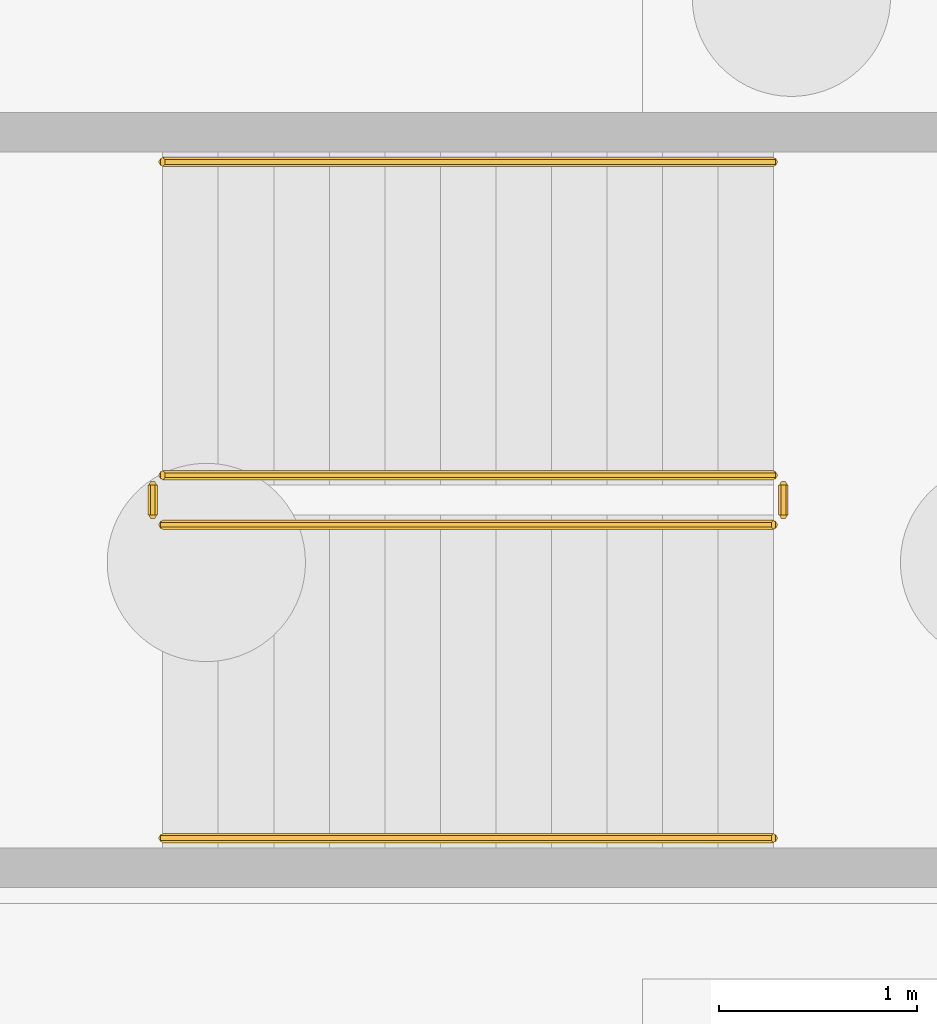
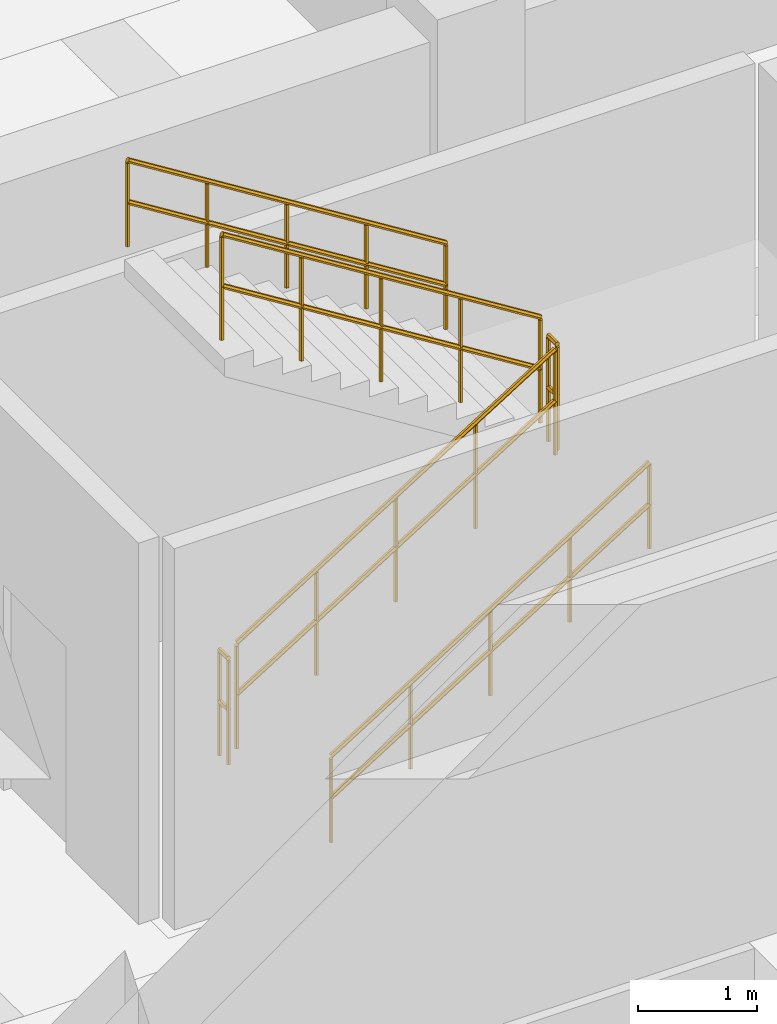
# One storey, part 19 of 23: 6 railings.
"""IFC4 building model written with IfcOpenShell, lengths in metres."""

from ifc_helpers import new_model, si_unit, direction, frame, origin, place, context, subcontext, project, spatial, polyline, outline, extrude, material, type_object, element, save


model = new_model("IFC4")

# Units and contexts
model_context = context("Model", 3, precision=1e-05, world=origin(), true_north=direction((0.0, 1.0)))
body_context = subcontext(model_context, "Body", "Model", "MODEL_VIEW")
ifc_project = project(units=[si_unit("LENGTHUNIT", "METRE"), si_unit("AREAUNIT", "SQUARE_METRE"), si_unit("VOLUMEUNIT", "CUBIC_METRE"), si_unit("PLANEANGLEUNIT", "RADIAN"), si_unit("MASSUNIT", "GRAM", prefix="KILO")], contexts=[model_context])

# Site, building, storey
site_placement = place(None, origin())
site = spatial("IfcSite", under=ifc_project, at=site_placement, CompositionType="ELEMENT")
building_placement = place(site_placement, origin())
building = spatial("IfcBuilding", under=site, at=building_placement, Name="Kelanora Arch Commons", CompositionType="ELEMENT")
storey_placement = place(building_placement, frame((0.0, 0.0, -8.39990234375)))
storey = spatial("IfcBuildingStorey", under=building, at=storey_placement, Name="B02", CompositionType="ELEMENT", Elevation=-8.39990234375)

# Railings
ifc_material_1 = material(Name="Painted steel stair well guard", Category="steel")
railing_type_1 = type_object("IfcRailingType", Name="RAIL-STAIR-GRD", PredefinedType="GUARDRAIL", material=ifc_material_1)
railing_1_placement = place(storey_placement, frame((83.679931640625, 8.18994140625, 0.1748046875)))
element("IfcRailing", 1, at=railing_1_placement, inside=storey, type_object=railing_type_1, Name="B02 ST-M2 stair guard 1", PredefinedType="GUARDRAIL", context=body_context, shape_type="SweptSolid", body=[
    extrude(outline(polyline([(0.02392578125, 0.0), (0.011962890625, 0.020751953125), (-0.011962890625, 0.020751953125), (-0.02392578125, 0.0), (-0.011962890625, -0.020751953125), (0.011962890625, -0.020751953125), (0.02392578125, 0.0)])), frame((0.0, 0.0, 1.076171875), z_axis=(0.847998304005, 0.0, 0.529998940003), x_axis=(0.0, 1.0, 0.0)), (0.0, 0.0, 1.0), 3.632080078125),
    extrude(outline(polyline([(0.02392578125, 0.0), (0.011962890625, 0.020751953125), (-0.011962890625, 0.020751953125), (-0.02392578125, 0.0), (-0.011962890625, -0.020751953125), (0.011962890625, -0.020751953125), (0.02392578125, 0.0)])), frame((0.0, 0.0, 0.550048828125), z_axis=(0.847998304005, 0.0, 0.529998940003), x_axis=(0.0, 1.0, 0.0)), (0.0, 0.0, 1.0), 3.632080078125),
    extrude(outline(polyline([(0.02099609375, 0.0), (0.010498046875, 0.01806640625), (-0.010498046875, 0.01806640625), (-0.02099609375, 0.0), (-0.010498046875, -0.01806640625), (0.010498046875, -0.01806640625), (0.02099609375, 0.0)])), origin(), (0.0, 0.0, 1.0), 1.052001953125),
    extrude(outline(polyline([(0.02099609375, 0.0), (0.010498046875, 0.01806640625), (-0.010498046875, 0.01806640625), (-0.02099609375, 0.0), (-0.010498046875, -0.01806640625), (0.010498046875, -0.01806640625), (0.02099609375, 0.0)])), frame((0.77001953125, 0.0, 0.481201171875)), (0.0, 0.0, 1.0), 1.052001953125),
    extrude(outline(polyline([(0.02099609375, 0.0), (0.010498046875, 0.01806640625), (-0.010498046875, 0.01806640625), (-0.02099609375, 0.0), (-0.010498046875, -0.01806640625), (0.010498046875, -0.01806640625), (0.02099609375, 0.0)])), frame((1.5400390625, 0.0, 0.96240234375)), (0.0, 0.0, 1.0), 1.052001953125),
    extrude(outline(polyline([(0.02099609375, 0.0), (0.010498046875, 0.01806640625), (-0.010498046875, 0.01806640625), (-0.02099609375, 0.0), (-0.010498046875, -0.01806640625), (0.010498046875, -0.01806640625), (0.02099609375, 0.0)])), frame((2.31005859375, 0.0, 1.44384765625)), (0.0, 0.0, 1.0), 1.052001953125),
    extrude(outline(polyline([(0.02099609375, 0.0), (0.010498046875, 0.01806640625), (-0.010498046875, 0.01806640625), (-0.02099609375, 0.0), (-0.010498046875, -0.01806640625), (0.010498046875, -0.01806640625), (0.02099609375, 0.0)])), frame((3.080078125, 0.0, 1.925048828125)), (0.0, 0.0, 1.0), 1.052001953125),
])
railing_2_placement = place(storey_placement, frame((86.81005859375, 8.239990234375, 2.099853515625)))
element("IfcRailing", 2, at=railing_2_placement, inside=storey, type_object=railing_type_1, Name="B02 ST-M2 stair guard 2", PredefinedType="GUARDRAIL", context=body_context, shape_type="SweptSolid", body=[
    extrude(outline(polyline([(0.02392578125, 0.0), (0.011962890625, 0.020751953125), (-0.011962890625, 0.020751953125), (-0.02392578125, 0.0), (-0.011962890625, -0.020751953125), (0.011962890625, -0.020751953125), (0.02392578125, 0.0)])), frame((0.0, 0.0, 1.076171875), z_axis=(0.0, 1.0, 0.0), x_axis=(-1.0, 0.0, 0.0)), (0.0, 0.0, 1.0), 0.14990234375),
    extrude(outline(polyline([(0.02392578125, 0.0), (0.011962890625, 0.020751953125), (-0.011962890625, 0.020751953125), (-0.02392578125, 0.0), (-0.011962890625, -0.020751953125), (0.011962890625, -0.020751953125), (0.02392578125, 0.0)])), frame((0.0, 0.0, 0.550048828125), z_axis=(0.0, 1.0, 0.0), x_axis=(-1.0, 0.0, 0.0)), (0.0, 0.0, 1.0), 0.14990234375),
    extrude(outline(polyline([(0.02099609375, 0.0), (0.010498046875, 0.01806640625), (-0.010498046875, 0.01806640625), (-0.02099609375, 0.0), (-0.010498046875, -0.01806640625), (0.010498046875, -0.01806640625), (0.02099609375, 0.0)])), origin(), (0.0, 0.0, 1.0), 1.052001953125),
    extrude(outline(polyline([(0.02099609375, 0.0), (0.010498046875, 0.01806640625), (-0.010498046875, 0.01806640625), (-0.02099609375, 0.0), (-0.010498046875, -0.01806640625), (0.010498046875, -0.01806640625), (0.02099609375, 0.0)])), frame((0.0, 0.14990234375, 0.0)), (0.0, 0.0, 1.0), 1.052001953125),
])
railing_3_placement = place(storey_placement, frame((86.760009765625, 8.43994140625, 2.27490234375)))
element("IfcRailing", 3, at=railing_3_placement, inside=storey, type_object=railing_type_1, Name="B02 ST-M2 stair guard 3", PredefinedType="GUARDRAIL", context=body_context, shape_type="SweptSolid", body=[
    extrude(outline(polyline([(0.02392578125, 0.0), (0.011962890625, 0.020751953125), (-0.011962890625, 0.020751953125), (-0.02392578125, 0.0), (-0.011962890625, -0.020751953125), (0.011962890625, -0.020751953125), (0.02392578125, 0.0)])), frame((0.0, 0.0, 1.076171875), z_axis=(-0.847998304005, 0.0, 0.529998940003), x_axis=(0.0, -1.0, 0.0)), (0.0, 0.0, 1.0), 3.632080078125),
    extrude(outline(polyline([(0.02392578125, 0.0), (0.011962890625, 0.020751953125), (-0.011962890625, 0.020751953125), (-0.02392578125, 0.0), (-0.011962890625, -0.020751953125), (0.011962890625, -0.020751953125), (0.02392578125, 0.0)])), frame((0.0, 0.0, 0.550048828125), z_axis=(-0.847998304005, 0.0, 0.529998940003), x_axis=(0.0, -1.0, 0.0)), (0.0, 0.0, 1.0), 3.632080078125),
    extrude(outline(polyline([(0.02099609375, 0.0), (0.010498046875, 0.01806640625), (-0.010498046875, 0.01806640625), (-0.02099609375, 0.0), (-0.010498046875, -0.01806640625), (0.010498046875, -0.01806640625), (0.02099609375, 0.0)])), origin(), (0.0, 0.0, 1.0), 1.052001953125),
    extrude(outline(polyline([(0.02099609375, 0.0), (0.010498046875, 0.01806640625), (-0.010498046875, 0.01806640625), (-0.02099609375, 0.0), (-0.010498046875, -0.01806640625), (0.010498046875, -0.01806640625), (0.02099609375, 0.0)])), frame((-0.77001953125, 0.0, 0.481201171875)), (0.0, 0.0, 1.0), 1.052001953125),
    extrude(outline(polyline([(0.02099609375, 0.0), (0.010498046875, 0.01806640625), (-0.010498046875, 0.01806640625), (-0.02099609375, 0.0), (-0.010498046875, -0.01806640625), (0.010498046875, -0.01806640625), (0.02099609375, 0.0)])), frame((-1.5400390625, 0.0, 0.96240234375)), (0.0, 0.0, 1.0), 1.052001953125),
    extrude(outline(polyline([(0.02099609375, 0.0), (0.010498046875, 0.01806640625), (-0.010498046875, 0.01806640625), (-0.02099609375, 0.0), (-0.010498046875, -0.01806640625), (0.010498046875, -0.01806640625), (0.02099609375, 0.0)])), frame((-2.31005859375, 0.0, 1.44384765625)), (0.0, 0.0, 1.0), 1.052001953125),
    extrude(outline(polyline([(0.02099609375, 0.0), (0.010498046875, 0.01806640625), (-0.010498046875, 0.01806640625), (-0.02099609375, 0.0), (-0.010498046875, -0.01806640625), (0.010498046875, -0.01806640625), (0.02099609375, 0.0)])), frame((-3.080078125, 0.0, 1.925048828125)), (0.0, 0.0, 1.0), 1.052001953125),
])
railing_4_placement = place(storey_placement, frame((83.6298828125, 8.239990234375, 0.0)))
element("IfcRailing", 4, at=railing_4_placement, inside=storey, type_object=railing_type_1, Name="B02 ST-M2 stair guard 4", PredefinedType="GUARDRAIL", context=body_context, shape_type="SweptSolid", body=[
    extrude(outline(polyline([(0.02392578125, 0.0), (0.011962890625, 0.020751953125), (-0.011962890625, 0.020751953125), (-0.02392578125, 0.0), (-0.011962890625, -0.020751953125), (0.011962890625, -0.020751953125), (0.02392578125, 0.0)])), frame((0.0, 0.0, 1.076171875), z_axis=(0.0, 1.0, 0.0), x_axis=(-1.0, 0.0, 0.0)), (0.0, 0.0, 1.0), 0.14990234375),
    extrude(outline(polyline([(0.02392578125, 0.0), (0.011962890625, 0.020751953125), (-0.011962890625, 0.020751953125), (-0.02392578125, 0.0), (-0.011962890625, -0.020751953125), (0.011962890625, -0.020751953125), (0.02392578125, 0.0)])), frame((0.0, 0.0, 0.550048828125), z_axis=(0.0, 1.0, 0.0), x_axis=(-1.0, 0.0, 0.0)), (0.0, 0.0, 1.0), 0.14990234375),
    extrude(outline(polyline([(0.02099609375, 0.0), (0.010498046875, 0.01806640625), (-0.010498046875, 0.01806640625), (-0.02099609375, 0.0), (-0.010498046875, -0.01806640625), (0.010498046875, -0.01806640625), (0.02099609375, 0.0)])), origin(), (0.0, 0.0, 1.0), 1.052001953125),
    extrude(outline(polyline([(0.02099609375, 0.0), (0.010498046875, 0.01806640625), (-0.010498046875, 0.01806640625), (-0.02099609375, 0.0), (-0.010498046875, -0.01806640625), (0.010498046875, -0.01806640625), (0.02099609375, 0.0)])), frame((0.0, 0.14990234375, 0.0)), (0.0, 0.0, 1.0), 1.052001953125),
])
ifc_material_2 = material(Name="Brushed stainless steel stair handrail", Category="steel")
railing_type_2 = type_object("IfcRailingType", Name="RAIL-STAIR-HND", PredefinedType="HANDRAIL", material=ifc_material_2)
railing_5_placement = place(storey_placement, frame((83.679931640625, 6.610107421875, 0.1748046875)))
element("IfcRailing", 5, at=railing_5_placement, inside=storey, type_object=railing_type_2, Name="B02 ST-M2 stair handrail 1", PredefinedType="HANDRAIL", context=body_context, shape_type="SweptSolid", body=[
    extrude(outline(polyline([(0.02392578125, 0.0), (0.011962890625, 0.020751953125), (-0.011962890625, 0.020751953125), (-0.02392578125, 0.0), (-0.011962890625, -0.020751953125), (0.011962890625, -0.020751953125), (0.02392578125, 0.0)])), frame((0.0, 0.0, 0.8759765625), z_axis=(0.847998304005, 0.0, 0.529998940003), x_axis=(0.0, 1.0, 0.0)), (0.0, 0.0, 1.0), 3.632080078125),
    extrude(outline(polyline([(0.02392578125, 0.0), (0.011962890625, 0.020751953125), (-0.011962890625, 0.020751953125), (-0.02392578125, 0.0), (-0.011962890625, -0.020751953125), (0.011962890625, -0.020751953125), (0.02392578125, 0.0)])), frame((0.0, 0.0, 0.449951171875), z_axis=(0.847998304005, 0.0, 0.529998940003), x_axis=(0.0, 1.0, 0.0)), (0.0, 0.0, 1.0), 3.632080078125),
    extrude(outline(polyline([(0.02099609375, 0.0), (0.010498046875, 0.01806640625), (-0.010498046875, 0.01806640625), (-0.02099609375, 0.0), (-0.010498046875, -0.01806640625), (0.010498046875, -0.01806640625), (0.02099609375, 0.0)])), origin(), (0.0, 0.0, 1.0), 0.851806640625),
    extrude(outline(polyline([(0.02099609375, 0.0), (0.010498046875, 0.01806640625), (-0.010498046875, 0.01806640625), (-0.02099609375, 0.0), (-0.010498046875, -0.01806640625), (0.010498046875, -0.01806640625), (0.02099609375, 0.0)])), frame((0.77001953125, 0.0, 0.481201171875)), (0.0, 0.0, 1.0), 0.851806640625),
    extrude(outline(polyline([(0.02099609375, 0.0), (0.010498046875, 0.01806640625), (-0.010498046875, 0.01806640625), (-0.02099609375, 0.0), (-0.010498046875, -0.01806640625), (0.010498046875, -0.01806640625), (0.02099609375, 0.0)])), frame((1.5400390625, 0.0, 0.96240234375)), (0.0, 0.0, 1.0), 0.851806640625),
    extrude(outline(polyline([(0.02099609375, 0.0), (0.010498046875, 0.01806640625), (-0.010498046875, 0.01806640625), (-0.02099609375, 0.0), (-0.010498046875, -0.01806640625), (0.010498046875, -0.01806640625), (0.02099609375, 0.0)])), frame((2.31005859375, 0.0, 1.44384765625)), (0.0, 0.0, 1.0), 0.851806640625),
    extrude(outline(polyline([(0.02099609375, 0.0), (0.010498046875, 0.01806640625), (-0.010498046875, 0.01806640625), (-0.02099609375, 0.0), (-0.010498046875, -0.01806640625), (0.010498046875, -0.01806640625), (0.02099609375, 0.0)])), frame((3.080078125, 0.0, 1.925048828125)), (0.0, 0.0, 1.0), 0.851806640625),
])
railing_6_placement = place(storey_placement, frame((86.760009765625, 10.02001953125, 2.27490234375)))
element("IfcRailing", 6, at=railing_6_placement, inside=storey, type_object=railing_type_2, Name="B02 ST-M2 stair handrail 2", PredefinedType="HANDRAIL", context=body_context, shape_type="SweptSolid", body=[
    extrude(outline(polyline([(0.02392578125, 0.0), (0.011962890625, 0.020751953125), (-0.011962890625, 0.020751953125), (-0.02392578125, 0.0), (-0.011962890625, -0.020751953125), (0.011962890625, -0.020751953125), (0.02392578125, 0.0)])), frame((0.0, 0.0, 0.8759765625), z_axis=(-0.847998304005, 0.0, 0.529998940003), x_axis=(0.0, -1.0, 0.0)), (0.0, 0.0, 1.0), 3.632080078125),
    extrude(outline(polyline([(0.02392578125, 0.0), (0.011962890625, 0.020751953125), (-0.011962890625, 0.020751953125), (-0.02392578125, 0.0), (-0.011962890625, -0.020751953125), (0.011962890625, -0.020751953125), (0.02392578125, 0.0)])), frame((0.0, 0.0, 0.449951171875), z_axis=(-0.847998304005, 0.0, 0.529998940003), x_axis=(0.0, -1.0, 0.0)), (0.0, 0.0, 1.0), 3.632080078125),
    extrude(outline(polyline([(0.02099609375, 0.0), (0.010498046875, 0.01806640625), (-0.010498046875, 0.01806640625), (-0.02099609375, 0.0), (-0.010498046875, -0.01806640625), (0.010498046875, -0.01806640625), (0.02099609375, 0.0)])), origin(), (0.0, 0.0, 1.0), 0.851806640625),
    extrude(outline(polyline([(0.02099609375, 0.0), (0.010498046875, 0.01806640625), (-0.010498046875, 0.01806640625), (-0.02099609375, 0.0), (-0.010498046875, -0.01806640625), (0.010498046875, -0.01806640625), (0.02099609375, 0.0)])), frame((-0.77001953125, 0.0, 0.481201171875)), (0.0, 0.0, 1.0), 0.851806640625),
    extrude(outline(polyline([(0.02099609375, 0.0), (0.010498046875, 0.01806640625), (-0.010498046875, 0.01806640625), (-0.02099609375, 0.0), (-0.010498046875, -0.01806640625), (0.010498046875, -0.01806640625), (0.02099609375, 0.0)])), frame((-1.5400390625, 0.0, 0.96240234375)), (0.0, 0.0, 1.0), 0.851806640625),
    extrude(outline(polyline([(0.02099609375, 0.0), (0.010498046875, 0.01806640625), (-0.010498046875, 0.01806640625), (-0.02099609375, 0.0), (-0.010498046875, -0.01806640625), (0.010498046875, -0.01806640625), (0.02099609375, 0.0)])), frame((-2.31005859375, 0.0, 1.44384765625)), (0.0, 0.0, 1.0), 0.851806640625),
    extrude(outline(polyline([(0.02099609375, 0.0), (0.010498046875, 0.01806640625), (-0.010498046875, 0.01806640625), (-0.02099609375, 0.0), (-0.010498046875, -0.01806640625), (0.010498046875, -0.01806640625), (0.02099609375, 0.0)])), frame((-3.080078125, 0.0, 1.925048828125)), (0.0, 0.0, 1.0), 0.851806640625),
])

save(model, "model.ifc")
